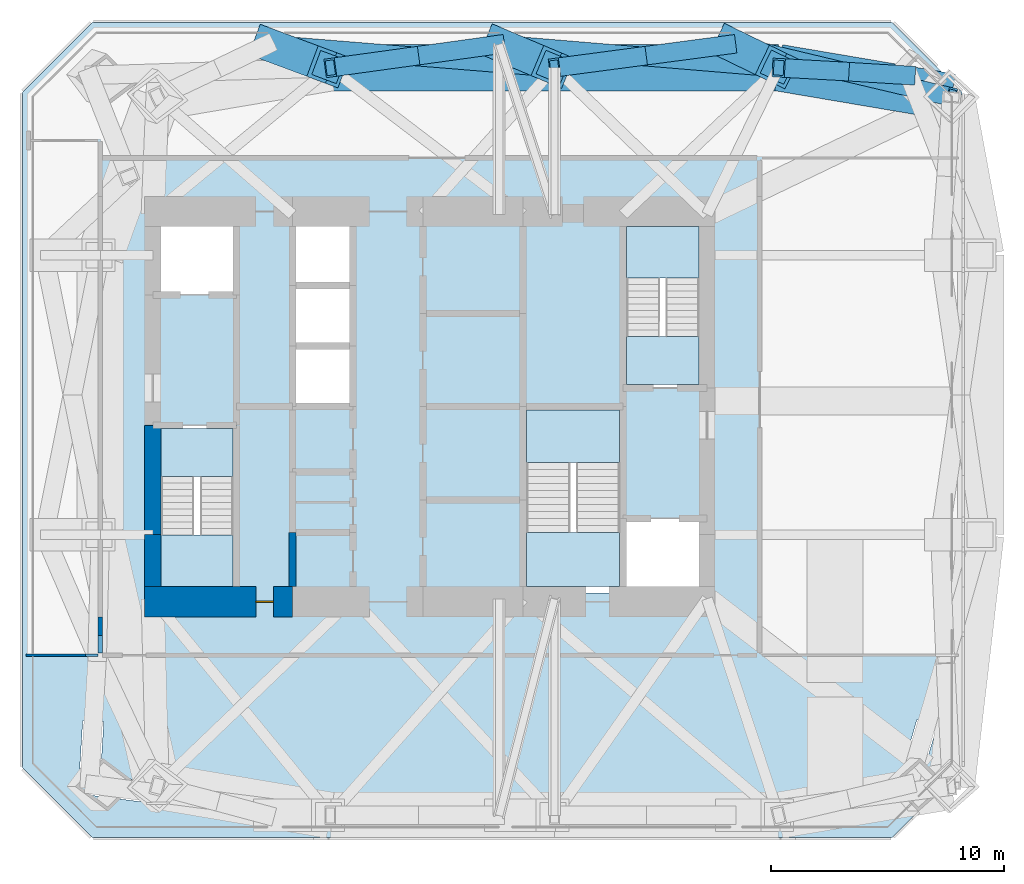
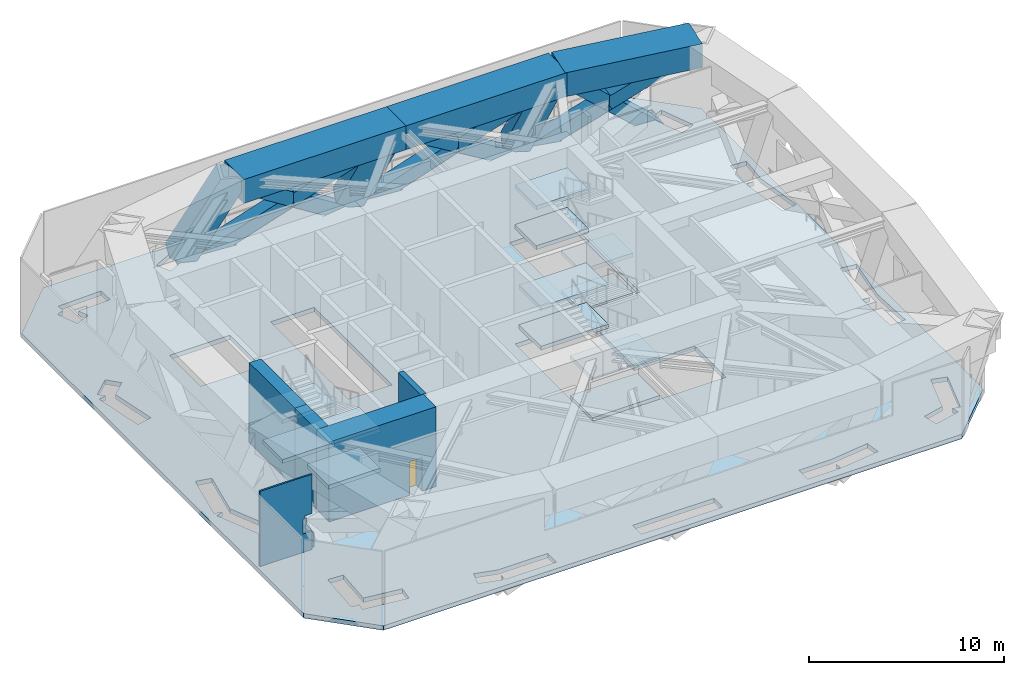
# One storey, part 3 of 9: 15 members, 13 slabs, 6 walls, 3 beams, 1 door, 1 opening, 3 elements without a shape of their own.
"""IFC4 building model written with IfcOpenShell, lengths in metres."""

from ifc_helpers import new_model, si_unit, direction, frame, frame_2d, origin, origin_2d, place, context, subcontext, project, spatial, polyline, rectangle, hollow_rectangle, outline, extrude, clip, halfspace, material, layer, layer_set, constituent, constituent_set, material_profile, profile_set, type_object, element, fill, aggregate, save


model = new_model("IFC4")

# Units and contexts
model_context = context("Model", 3, precision=1e-05, world=origin(), true_north=direction((0.0, 1.0)))
body_context = subcontext(model_context, "Body", "Model", "MODEL_VIEW")
ifc_project = project(units=[si_unit("LENGTHUNIT", "METRE"), si_unit("AREAUNIT", "SQUARE_METRE"), si_unit("VOLUMEUNIT", "CUBIC_METRE"), si_unit("PLANEANGLEUNIT", "RADIAN"), si_unit("MASSUNIT", "GRAM", prefix="KILO")], contexts=[model_context])

# Site, building, storey
site_placement = place(None, origin())
site = spatial("IfcSite", under=ifc_project, at=site_placement, CompositionType="ELEMENT")
building_placement = place(site_placement, origin())
building = spatial("IfcBuilding", under=site, at=building_placement, Name="Jalousie Tower", CompositionType="ELEMENT")
storey_placement = place(building_placement, frame((0.0, 0.0, 212.949951171875)))
storey = spatial("IfcBuildingStorey", under=building, at=storey_placement, Name="L58", CompositionType="ELEMENT", Elevation=212.949951171875)

# Members
ifc_material_1 = material(Name="Steel ASTM A572 Grade 50 plate", Category="steel")
ifc_material_profile_1 = material_profile(ifc_material_1, hollow_rectangle(XDim=0.800048828125, YDim=0.800048828125, WallThickness=0.080078125, at=origin_2d()), Name="BOX 800x800x80")
ifc_profile_set_1 = profile_set([ifc_material_profile_1], Name="Steel ASTM A572 Grade 50 plate")
member_type_1 = type_object("IfcMemberType", Name="PERIMETER BRACE BOX 800x800x80", PredefinedType="BRACE", material=ifc_profile_set_1)
member_1_placement = place(storey_placement, frame((52.47216796875, 32.72216796875, -0.75), z_axis=(-0.74471579042, 0.045489083075, 0.665829659012), x_axis=(-0.060968840657, -0.99813966982, 0.0)))
element("IfcMember", 1, at=member_1_placement, inside=storey, type_object=member_type_1, Name="Perimeter brace 08-09 L58 part 1", PredefinedType="BRACE", context=body_context, shape_type="SweptSolid", body=[
    extrude(hollow_rectangle(XDim=0.800048828125, YDim=0.800048828125, WallThickness=0.080078125, at=origin_2d()), origin(), (0.0, 0.0, 1.0), 3.81591796875),
])
member_2_placement = place(storey_placement, frame((49.63037109375, 32.895751953125, 1.790771484375), z_axis=(-0.745411726321, 0.041741999914, 0.665296147371), x_axis=(-0.055910986943, -0.998435757342, 0.0)))
element("IfcMember", 2, at=member_2_placement, inside=storey, type_object=member_type_1, Name="Perimeter brace 08-09 L58 part 2", PredefinedType="BRACE", context=body_context, shape_type="SweptSolid", body=[
    extrude(hollow_rectangle(XDim=0.800048828125, YDim=0.800048828125, WallThickness=0.080078125, at=origin_2d()), origin(), (0.0, 0.0, 1.0), 3.696533203125),
])
member_3_placement = place(storey_placement, frame((44.8125, 34.050048828125, -0.75), z_axis=(0.865317943972, -0.207318497978, 0.456337480639), x_axis=(0.23299271583, 0.972478480158, 0.0)))
element("IfcMember", 3, at=member_3_placement, inside=storey, type_object=member_type_1, Name="Perimeter brace 08-09 L58 part 3", PredefinedType="BRACE", context=body_context, shape_type="SweptSolid", body=[
    extrude(hollow_rectangle(XDim=0.800048828125, YDim=0.800048828125, WallThickness=0.080078125, at=origin_2d()), origin(), (0.0, 0.0, 1.0), 5.567626953125),
])
member_4_placement = place(storey_placement, frame((49.63037109375, 32.895751953125, 1.790771484375), z_axis=(0.865766635432, -0.204768451788, 0.456637727443), x_axis=(0.230166720252, 0.973151211728, 0.0)))
element("IfcMember", 4, at=member_4_placement, inside=storey, type_object=member_type_1, Name="Perimeter brace 08-09 L58 part 4", PredefinedType="BRACE", context=body_context, shape_type="SweptSolid", body=[
    extrude(hollow_rectangle(XDim=0.800048828125, YDim=0.800048828125, WallThickness=0.080078125, at=origin_2d()), origin(), (0.0, 0.0, 1.0), 5.385498046875),
])
member_5_placement = place(storey_placement, frame((44.8125, 34.050048828125, -0.75), z_axis=(-0.829134949477, -0.1096485657, 0.548190138178), x_axis=(0.131103097801, -0.991368739545, 0.0)))
element("IfcMember", 5, at=member_5_placement, inside=storey, type_object=member_type_1, Name="Perimeter brace 09-10 L58 part 1", PredefinedType="BRACE", context=body_context, shape_type="SweptSolid", body=[
    extrude(hollow_rectangle(XDim=0.800048828125, YDim=0.800048828125, WallThickness=0.080078125, at=origin_2d()), origin(), (0.0, 0.0, 1.0), 4.633544921875),
])
member_6_placement = place(storey_placement, frame((40.970703125, 33.5419921875, 1.7900390625), z_axis=(-0.829138570122, -0.109626917244, 0.548188991637), x_axis=(0.131077095691, -0.991372177835, 0.0)))
element("IfcMember", 6, at=member_6_placement, inside=storey, type_object=member_type_1, Name="Perimeter brace 09-10 L58 part 2", PredefinedType="BRACE", context=body_context, shape_type="SweptSolid", body=[
    extrude(hollow_rectangle(XDim=0.800048828125, YDim=0.800048828125, WallThickness=0.080078125, at=origin_2d()), origin(), (0.0, 0.0, 1.0), 4.487548828125),
])
member_7_placement = place(storey_placement, frame((34.875, 34.050048828125, -0.75), z_axis=(0.920348445794, -0.076707990856, 0.383503093161), x_axis=(0.083058692384, 0.996544657112, 0.0)))
element("IfcMember", 7, at=member_7_placement, inside=storey, type_object=member_type_1, Name="Perimeter brace 09-10 L58 part 3", PredefinedType="BRACE", context=body_context, shape_type="SweptSolid", body=[
    extrude(hollow_rectangle(XDim=0.800048828125, YDim=0.800048828125, WallThickness=0.080078125, at=origin_2d()), origin(), (0.0, 0.0, 1.0), 6.623291015625),
])
member_8_placement = place(storey_placement, frame((40.970703125, 33.5419921875, 1.7900390625), z_axis=(0.920367836318, -0.076684634063, 0.383461227206), x_axis=(0.083031838952, 0.996546894893, 0.0)))
element("IfcMember", 8, at=member_8_placement, inside=storey, type_object=member_type_1, Name="Perimeter brace 09-10 L58 part 4", PredefinedType="BRACE", context=body_context, shape_type="SweptSolid", body=[
    extrude(hollow_rectangle(XDim=0.800048828125, YDim=0.800048828125, WallThickness=0.080078125, at=origin_2d()), origin(), (0.0, 0.0, 1.0), 6.4150390625),
])
member_9_placement = place(storey_placement, frame((34.875, 34.050048828125, -0.75), z_axis=(-0.817941427808, -0.112836334854, 0.564127452099), x_axis=(0.136657396683, -0.99061837048, 0.0)))
element("IfcMember", 9, at=member_9_placement, inside=storey, type_object=member_type_1, Name="Perimeter brace 10-11 L58 part 1", PredefinedType="BRACE", context=body_context, shape_type="SweptSolid", body=[
    extrude(hollow_rectangle(XDim=0.800048828125, YDim=0.800048828125, WallThickness=0.080078125, at=origin_2d()), origin(), (0.0, 0.0, 1.0), 4.502685546875),
])
member_10_placement = place(storey_placement, frame((31.192138671875, 33.5419921875, 1.7900390625), z_axis=(-0.81797263953, -0.112806438208, 0.564088174383), x_axis=(0.136616748604, -0.990623977098, 0.0)))
element("IfcMember", 10, at=member_10_placement, inside=storey, type_object=member_type_1, Name="Perimeter brace 10-11 L58 part 2", PredefinedType="BRACE", context=body_context, shape_type="SweptSolid", body=[
    extrude(hollow_rectangle(XDim=0.800048828125, YDim=0.800048828125, WallThickness=0.080078125, at=origin_2d()), origin(), (0.0, 0.0, 1.0), 4.36083984375),
])
member_11_placement = place(storey_placement, frame((24.9375, 34.050048828125, -0.75), z_axis=(0.923900673863, -0.075047320438, 0.375200539087), x_axis=(0.080962116023, 0.996717179429, 0.0)))
element("IfcMember", 11, at=member_11_placement, inside=storey, type_object=member_type_1, Name="Perimeter brace 10-11 L58 part 3", PredefinedType="BRACE", context=body_context, shape_type="SweptSolid", body=[
    extrude(hollow_rectangle(XDim=0.800048828125, YDim=0.800048828125, WallThickness=0.080078125, at=origin_2d()), origin(), (0.0, 0.0, 1.0), 6.769775390625),
])
member_12_placement = place(storey_placement, frame((31.192138671875, 33.5419921875, 1.7900390625), z_axis=(0.923910811284, -0.075028424001, 0.375179354955), x_axis=(0.080940981554, 0.996718895931, 0.0)))
element("IfcMember", 12, at=member_12_placement, inside=storey, type_object=member_type_1, Name="Perimeter brace 10-11 L58 part 4", PredefinedType="BRACE", context=body_context, shape_type="SweptSolid", body=[
    extrude(hollow_rectangle(XDim=0.800048828125, YDim=0.800048828125, WallThickness=0.080078125, at=origin_2d()), origin(), (0.0, 0.0, 1.0), 6.556640625),
])

# Beams
ifc_material_2 = material(Name="Concrete f'c 40 MPa", Category="concrete")
ifc_material_profile_2 = material_profile(ifc_material_2, rectangle(XDim=2.0, YDim=1.5, at=origin_2d()), Name="RC 2000x1500")
ifc_profile_set_2 = profile_set([ifc_material_profile_2], Name="Concrete f'c 40 MPa")
beam_type = type_object("IfcBeamType", Name="RC BEAM 2000x1500", PredefinedType="BEAM", material=ifc_profile_set_2)
beam_placement = place(storey_placement, frame((54.29296875, 31.79296875, 4.25), z_axis=(-0.985942997446, 0.167082033105, 0.0), x_axis=(-0.167082033105, -0.985942997446, 0.0)))
element("IfcBeam", 13, at=beam_placement, inside=storey, type_object=beam_type, Name="Edge band beam 08-09 under L59", PredefinedType="BEAM", context=body_context, shape_type="SweptSolid", body=[
    extrude(rectangle(XDim=2.0, YDim=1.5, at=origin_2d()), origin(), (0.0, 0.0, 1.0), 7.523681640625),
])
for number, where, z_axis, x_axis, name in (
    (14, (46.875, 33.050048828125, 4.25), (-1.0, 0.0, 0.0), (0.0, -1.0, 0.0), "Edge band beam 09-10 under L59"),
    (15, (37.25, 33.050048828125, 4.25), (-1.0, 0.0, 0.0), (0.0, -1.0, 0.0), "Edge band beam 10-11 under L59"),
):
    element("IfcBeam", number, at=place(storey_placement, frame(where, z_axis=z_axis, x_axis=x_axis)), inside=storey, type_object=beam_type, Name=name, PredefinedType="BEAM", context=body_context, shape_type="SweptSolid", body=[
        extrude(rectangle(XDim=2.0, YDim=1.5, at=origin_2d()), origin(), (0.0, 0.0, 1.0), 9.625),
    ])

# Members
ifc_material_3 = material(Name="Steel EN 10025-2 S355J2 plate", Category="steel")
ifc_material_profile_3 = material_profile(ifc_material_3, hollow_rectangle(XDim=1.39990234375, YDim=1.39990234375, WallThickness=0.14990234375, at=origin_2d()), Name="BOX 1400x1400x150")
ifc_profile_set_3 = profile_set([ifc_material_profile_3], Name="Steel EN 10025-2 S355J2 plate")
member_type_2 = type_object("IfcMemberType", Name="TRANSFER TRUSS STRUT BOX 1400x1400x150", PredefinedType="STRUT", material=ifc_profile_set_3)
member_13_placement = place(storey_placement, frame((44.8125, 34.050048828125, 0.0), z_axis=(0.374975790051, -0.181806443661, 0.909032218306), x_axis=(0.436273506519, 0.899814107196, 0.0)))
element("IfcMember", 16, at=member_13_placement, inside=storey, type_object=member_type_2, Name="Transfer truss T3 strut 09 L58", PredefinedType="STRUT", context=body_context, shape_type="Clipping", body=[
    clip(extrude(hollow_rectangle(XDim=1.39990234375, YDim=1.39990234375, WallThickness=0.14990234375, at=origin_2d()), origin(), (0.0, 0.0, 1.0), 5.500244140625), halfspace(frame((0.0, 0.0, 5.478271484375), z_axis=(0.0, 0.416725840429, 0.909032218306)), False)),
])
member_14_placement = place(storey_placement, frame((34.875, 34.050048828125, 0.0), z_axis=(0.422222222222, -0.177777777778, 0.888888888889), x_axis=(0.388057000058, 0.921635375138, 0.0)))
element("IfcMember", 17, at=member_14_placement, inside=storey, type_object=member_type_2, Name="Transfer truss T3 strut 10 L58", PredefinedType="STRUT", context=body_context, shape_type="Clipping", body=[
    clip(extrude(hollow_rectangle(XDim=1.39990234375, YDim=1.39990234375, WallThickness=0.14990234375, at=origin_2d()), origin(), (0.0, 0.0, 1.0), 5.625), halfspace(frame((0.0, 0.0, 5.6025390625), z_axis=(0.0, 0.458122847291, 0.888888888889)), False)),
])
member_15_placement = place(storey_placement, frame((24.9375, 34.050048828125, 0.0), z_axis=(0.466263368187, -0.173493346302, 0.86746673151), x_axis=(0.348733712021, 0.937221851058, 0.0)))
element("IfcMember", 18, at=member_15_placement, inside=storey, type_object=member_type_2, Name="Transfer truss T3 strut 11 L58", PredefinedType="STRUT", context=body_context, shape_type="Clipping", body=[
    clip(extrude(hollow_rectangle(XDim=1.39990234375, YDim=1.39990234375, WallThickness=0.14990234375, at=origin_2d()), origin(), (0.0, 0.0, 1.0), 5.763916015625), halfspace(frame((0.0, 0.0, 5.74072265625), z_axis=(0.0, 0.497495195679, 0.86746673151)), False)),
])

# Slab
ifc_material_4 = material(Name="Concrete f'c 40 MPa", Category="concrete")
ifc_layer_1 = layer(ifc_material_4, 0.280029296875)
ifc_layer_set_1 = layer_set([ifc_layer_1], Name="Concrete f'c 40 MPa")
slab_type_1 = type_object("IfcSlabType", Name="FLOOR SLAB 280", PredefinedType="FLOOR", material=ifc_layer_set_1)
slab_1_placement = place(storey_placement, frame((0.0, 0.0, -0.280029296875)))
element("IfcSlab", 19, at=slab_1_placement, inside=storey, type_object=slab_type_1, Name="L58 floor slab", PredefinedType="FLOOR", context=body_context, shape_type="SweptSolid", body=[
    extrude(outline(polyline([(17.39990234375, 0.0), (51.75, 0.0), (54.75, 3.0), (54.75, 32.0), (51.75, 35.0), (17.39990234375, 35.0), (14.39990234375, 32.0), (14.39990234375, 3.0), (17.39990234375, 0.0)]), holes=[polyline([(24.82080078125, 0.515380859375), (23.523193359375, 0.8642578125), (23.7568359375, 1.7333984375), (24.996826171875, 1.39990234375), (27.970703125, 1.39990234375), (27.970703125, 0.5), (24.9375, 0.5), (24.9375, 0.949951171875), (24.82080078125, 0.515380859375)]), polyline([(16.99658203125, 5.028564453125), (17.89501953125, 4.972900390625), (17.7529296875, 2.669921875), (19.907958984375, 2.390380859375), (19.792236328125, 1.497802734375), (17.219970703125, 1.83154296875), (17.27783203125, 2.27783203125), (16.82861328125, 2.305419921875), (16.99658203125, 5.028564453125)]), polyline([(15.5, 16.04541015625), (16.3828125, 15.868896484375), (15.818603515625, 13.049072265625), (16.890625, 10.5556640625), (16.063720703125, 10.2001953125), (14.9365234375, 12.822265625), (15.35009765625, 13.0), (14.90869140625, 13.08837890625), (15.5, 16.04541015625)]), polyline([(20.0, 10.5), (23.60009765625, 10.5), (23.60009765625, 17.699951171875), (20.0, 17.699951171875), (20.0, 10.5)]), polyline([(26.0, 18.5), (26.0, 26.5), (28.60009765625, 26.5), (28.60009765625, 18.5), (26.0, 18.5)]), polyline([(15.04248046875, 25.32861328125), (16.034912109375, 26.25732421875), (16.64990234375, 25.600341796875), (15.84033203125, 24.842529296875), (16.3828125, 22.131103515625), (15.5, 21.95458984375), (14.90869140625, 24.91162109375), (15.35009765625, 25.0), (15.04248046875, 25.32861328125)]), polyline([(20.0, 23.300048828125), (23.60009765625, 23.300048828125), (23.60009765625, 26.5), (20.0, 26.5), (20.0, 23.300048828125)]), polyline([(19.83544921875, 33.256591796875), (19.865234375, 32.357177734375), (17.929931640625, 32.29345703125), (18.168701171875, 31.686279296875), (17.3310546875, 31.357177734375), (16.85888671875, 32.5576171875), (17.27783203125, 32.72216796875), (17.262939453125, 33.171875), (19.83544921875, 33.256591796875)]), polyline([(28.006591796875, 34.252197265625), (27.93359375, 33.355224609375), (25.0224609375, 33.591552734375), (23.852294921875, 33.02978515625), (23.462890625, 33.84130859375), (24.74267578125, 34.455810546875), (24.9375, 34.050048828125), (24.973876953125, 34.49853515625), (28.006591796875, 34.252197265625)]), polyline([(33.010498046875, 1.39990234375), (34.875, 1.39990234375), (37.8349609375, 1.39990234375), (37.8349609375, 0.5), (34.875, 0.5), (33.010498046875, 0.5), (33.010498046875, 1.39990234375)]), polyline([(44.872314453125, 0.50390625), (44.8125, 0.949951171875), (44.8125, 0.5), (42.877197265625, 0.5), (42.877197265625, 1.39990234375), (44.782470703125, 1.39990234375), (47.12451171875, 1.714111328125), (47.243896484375, 0.822021484375), (44.872314453125, 0.50390625)]), polyline([(52.904296875, 2.15234375), (52.47216796875, 2.27783203125), (52.5771484375, 1.840087890625), (51.088623046875, 1.4833984375), (50.87890625, 2.3583984375), (52.113037109375, 2.654296875), (52.812744140625, 5.06396484375), (53.677001953125, 4.81298828125), (52.904296875, 2.15234375)]), polyline([(35.89990234375, 10.5), (35.89990234375, 18.5), (40.199951171875, 18.5), (40.199951171875, 13.699951171875), (43.800048828125, 13.699951171875), (43.800048828125, 10.5), (35.89990234375, 10.5)]), polyline([(53.7861328125, 16.023193359375), (54.6767578125, 15.8935546875), (54.25146484375, 12.976806640625), (54.363037109375, 10.347900390625), (53.4638671875, 10.309814453125), (53.350341796875, 12.98095703125), (53.800048828125, 13.0), (53.354736328125, 13.06494140625), (53.7861328125, 16.023193359375)]), polyline([(40.199951171875, 19.300048828125), (43.800048828125, 19.300048828125), (43.800048828125, 26.5), (40.199951171875, 26.5), (40.199951171875, 19.300048828125)]), polyline([(53.351318359375, 25.03515625), (53.489501953125, 26.801513671875), (54.38671875, 26.7314453125), (54.252685546875, 25.01513671875), (54.6767578125, 22.1064453125), (53.7861328125, 21.976806640625), (53.354736328125, 24.93505859375), (53.800048828125, 25.0), (53.351318359375, 25.03515625)]), polyline([(52.821533203125, 30.603759765625), (52.158447265625, 32.29052734375), (50.9501953125, 32.3642578125), (51.005126953125, 33.2626953125), (52.49951171875, 33.17138671875), (52.47216796875, 32.72216796875), (52.89111328125, 32.88671875), (53.6591796875, 30.93310546875), (52.821533203125, 30.603759765625)]), polyline([(44.75341796875, 34.49609375), (44.8125, 34.050048828125), (44.917236328125, 34.487548828125), (47.286865234375, 33.919921875), (47.0771484375, 33.044677734375), (44.788818359375, 33.593017578125), (42.93798828125, 33.34814453125), (42.820068359375, 34.240478515625), (44.75341796875, 34.49609375)]), polyline([(32.951171875, 34.239013671875), (34.8134765625, 34.495849609375), (34.875, 34.050048828125), (34.912353515625, 34.498291015625), (37.871826171875, 34.251708984375), (37.797119140625, 33.35498046875), (34.88720703125, 33.597412109375), (33.073974609375, 33.347412109375), (32.951171875, 34.239013671875)])]), origin(), (0.0, 0.0, 1.0), 0.280029296875),
])

# Stair, slabs
ifc_material_5 = material(Name="Concrete f'c 40 MPa", Category="concrete")
stair_type = type_object("IfcStairType", Name="EXIT STAIR", PredefinedType="HALF_TURN_STAIR", material=ifc_material_5)
stair_1_placement = place(storey_placement, origin())
stair_1 = element("IfcStair", 20, at=stair_1_placement, inside=storey, type_object=stair_type, Name="Exit stair A L58", PredefinedType="HALF_TURN_STAIR")
ifc_material_6 = material(Name="Concrete f'c 40 MPa", Category="concrete")
ifc_layer_2 = layer(ifc_material_6, 0.25)
ifc_layer_set_2 = layer_set([ifc_layer_2], Name="Concrete f'c 40 MPa")
slab_type_2 = type_object("IfcSlabType", Name="STAIR LANDING 250", PredefinedType="LANDING", material=ifc_layer_set_2)
slab_2_placement = place(storey_placement, frame((0.0, 0.0, -0.25)))
slab_2 = element("IfcSlab", 21, at=slab_2_placement, type_object=slab_type_2, Name="ST-A landing 1", PredefinedType="LANDING", context=body_context, shape_type="SweptSolid", body=[
    extrude(outline(polyline([(20.35009765625, 15.49755859375), (23.449951171875, 15.49755859375), (23.449951171875, 17.550048828125), (20.35009765625, 17.550048828125), (20.35009765625, 15.49755859375)])), origin(), (0.0, 0.0, 1.0), 0.25),
])
slab_3_placement = place(storey_placement, frame((0.0, 0.0, 1.0)))
slab_3 = element("IfcSlab", 22, at=slab_3_placement, type_object=slab_type_2, Name="ST-A landing 2", PredefinedType="LANDING", context=body_context, shape_type="SweptSolid", body=[
    extrude(outline(polyline([(20.35009765625, 10.77490234375), (23.449951171875, 10.77490234375), (23.449951171875, 12.9775390625), (20.35009765625, 12.9775390625), (20.35009765625, 10.77490234375)])), origin(), (0.0, 0.0, 1.0), 0.25),
])
slab_4_placement = place(storey_placement, frame((0.0, 0.0, 2.25)))
slab_4 = element("IfcSlab", 23, at=slab_4_placement, type_object=slab_type_2, Name="ST-A landing 3", PredefinedType="LANDING", context=body_context, shape_type="SweptSolid", body=[
    extrude(outline(polyline([(20.35009765625, 15.49755859375), (23.449951171875, 15.49755859375), (23.449951171875, 17.550048828125), (20.35009765625, 17.550048828125), (20.35009765625, 15.49755859375)])), origin(), (0.0, 0.0, 1.0), 0.25),
])
slab_5_placement = place(storey_placement, frame((0.0, 0.0, 3.5)))
slab_5 = element("IfcSlab", 24, at=slab_5_placement, type_object=slab_type_2, Name="ST-A landing 4", PredefinedType="LANDING", context=body_context, shape_type="SweptSolid", body=[
    extrude(outline(polyline([(20.35009765625, 10.77490234375), (23.449951171875, 10.77490234375), (23.449951171875, 12.9775390625), (20.35009765625, 12.9775390625), (20.35009765625, 10.77490234375)])), origin(), (0.0, 0.0, 1.0), 0.25),
])
aggregate(stair_1, [slab_2, slab_3, slab_4, slab_5])

stair_2_placement = place(storey_placement, origin())
stair_2 = element("IfcStair", 25, at=stair_2_placement, inside=storey, type_object=stair_type, Name="Exit stair B L58", PredefinedType="HALF_TURN_STAIR")
slab_6_placement = place(storey_placement, frame((0.0, 0.0, -0.25)))
slab_6 = element("IfcSlab", 26, at=slab_6_placement, type_object=slab_type_2, Name="ST-B landing 1", PredefinedType="LANDING", context=body_context, shape_type="SweptSolid", body=[
    extrude(outline(polyline([(40.35009765625, 19.449951171875), (43.449951171875, 19.449951171875), (43.449951171875, 21.50244140625), (40.35009765625, 21.50244140625), (40.35009765625, 19.449951171875)])), origin(), (0.0, 0.0, 1.0), 0.25),
])
slab_7_placement = place(storey_placement, frame((0.0, 0.0, 1.0)))
slab_7 = element("IfcSlab", 27, at=slab_7_placement, type_object=slab_type_2, Name="ST-B landing 2", PredefinedType="LANDING", context=body_context, shape_type="SweptSolid", body=[
    extrude(outline(polyline([(40.35009765625, 24.0224609375), (43.449951171875, 24.0224609375), (43.449951171875, 26.22509765625), (40.35009765625, 26.22509765625), (40.35009765625, 24.0224609375)])), origin(), (0.0, 0.0, 1.0), 0.25),
])
slab_8_placement = place(storey_placement, frame((0.0, 0.0, 2.25)))
slab_8 = element("IfcSlab", 28, at=slab_8_placement, type_object=slab_type_2, Name="ST-B landing 3", PredefinedType="LANDING", context=body_context, shape_type="SweptSolid", body=[
    extrude(outline(polyline([(40.35009765625, 19.449951171875), (43.449951171875, 19.449951171875), (43.449951171875, 21.50244140625), (40.35009765625, 21.50244140625), (40.35009765625, 19.449951171875)])), origin(), (0.0, 0.0, 1.0), 0.25),
])
slab_9_placement = place(storey_placement, frame((0.0, 0.0, 3.5)))
slab_9 = element("IfcSlab", 29, at=slab_9_placement, type_object=slab_type_2, Name="ST-B landing 4", PredefinedType="LANDING", context=body_context, shape_type="SweptSolid", body=[
    extrude(outline(polyline([(40.35009765625, 24.0224609375), (43.449951171875, 24.0224609375), (43.449951171875, 26.22509765625), (40.35009765625, 26.22509765625), (40.35009765625, 24.0224609375)])), origin(), (0.0, 0.0, 1.0), 0.25),
])
aggregate(stair_2, [slab_6, slab_7, slab_8, slab_9])

stair_3_placement = place(storey_placement, origin())
stair_3 = element("IfcStair", 30, at=stair_3_placement, inside=storey, type_object=stair_type, Name="Exit stair C L58", PredefinedType="HALF_TURN_STAIR")
slab_10_placement = place(storey_placement, frame((0.0, 0.0, -0.25)))
slab_10 = element("IfcSlab", 31, at=slab_10_placement, type_object=slab_type_2, Name="ST-C landing 1", PredefinedType="LANDING", context=body_context, shape_type="SweptSolid", body=[
    extrude(outline(polyline([(36.050048828125, 10.77490234375), (40.050048828125, 10.77490234375), (40.050048828125, 13.097412109375), (36.050048828125, 13.097412109375), (36.050048828125, 10.77490234375)])), origin(), (0.0, 0.0, 1.0), 0.25),
])
slab_11_placement = place(storey_placement, frame((0.0, 0.0, 1.0)))
slab_11 = element("IfcSlab", 32, at=slab_11_placement, type_object=slab_type_2, Name="ST-C landing 2", PredefinedType="LANDING", context=body_context, shape_type="SweptSolid", body=[
    extrude(outline(polyline([(36.050048828125, 16.097412109375), (40.050048828125, 16.097412109375), (40.050048828125, 18.35009765625), (36.050048828125, 18.35009765625), (36.050048828125, 16.097412109375)])), origin(), (0.0, 0.0, 1.0), 0.25),
])
slab_12_placement = place(storey_placement, frame((0.0, 0.0, 2.25)))
slab_12 = element("IfcSlab", 33, at=slab_12_placement, type_object=slab_type_2, Name="ST-C landing 3", PredefinedType="LANDING", context=body_context, shape_type="SweptSolid", body=[
    extrude(outline(polyline([(36.050048828125, 10.77490234375), (40.050048828125, 10.77490234375), (40.050048828125, 13.097412109375), (36.050048828125, 13.097412109375), (36.050048828125, 10.77490234375)])), origin(), (0.0, 0.0, 1.0), 0.25),
])
slab_13_placement = place(storey_placement, frame((0.0, 0.0, 3.5)))
slab_13 = element("IfcSlab", 34, at=slab_13_placement, type_object=slab_type_2, Name="ST-C landing 4", PredefinedType="LANDING", context=body_context, shape_type="SweptSolid", body=[
    extrude(outline(polyline([(36.050048828125, 16.097412109375), (40.050048828125, 16.097412109375), (40.050048828125, 18.35009765625), (36.050048828125, 18.35009765625), (36.050048828125, 16.097412109375)])), origin(), (0.0, 0.0, 1.0), 0.25),
])
aggregate(stair_3, [slab_10, slab_11, slab_12, slab_13])

# Wall, opening, door
ifc_material_7 = material(Name="Concrete f'c 120 MPa", Category="concrete")
ifc_layer_3 = layer(ifc_material_7, 1.300048828125)
ifc_layer_set_3 = layer_set([ifc_layer_3], Name="Concrete f'c 120 MPa")
wall_type_1 = type_object("IfcWallType", Name="CORE WALL 1300", PredefinedType="SHEAR", material=ifc_layer_set_3)
wall_1_placement = place(storey_placement, frame((19.64990234375, 10.125, 0.0), z_axis=(0.0, 0.0, 1.0), x_axis=(1.0, 0.0, 0.0)))
wall_1 = element("IfcWall", 35, at=wall_1_placement, inside=storey, type_object=wall_type_1, Name="Core wall SA L58", PredefinedType="SHEAR", context=body_context, shape_type="SweptSolid", body=[
    extrude(rectangle(XDim=6.35009765625, YDim=1.300048828125, at=frame_2d((3.175048828125, 0.0))), origin(), (0.0, 0.0, 1.0), 5.0),
])
opening_placement = place(wall_1_placement, frame((4.77490234375, 0.0, 0.0)))
opening = element("IfcOpeningElement", 36, at=opening_placement, cuts=wall_1, Name="Opening D16", PredefinedType="OPENING", context=body_context, shape_type="SweptSolid", body=[
    extrude(rectangle(XDim=0.75, YDim=2.10009765625, at=frame_2d((0.375, 1.050048828125))), frame((0.0, 0.659912109375, 0.0), z_axis=(0.0, -1.0, 0.0), x_axis=(1.0, 0.0, 0.0)), (0.0, 0.0, 1.0), 1.320068359375),
])
ifc_material_8 = material(Name="Steel fire door", Category="steel")
door_type = type_object("IfcDoorType", Name="RISER DOOR 750", OperationType="SINGLE_SWING_LEFT", PredefinedType="DOOR", material=ifc_material_8)
door_placement = place(opening_placement, origin())
door = element("IfcDoor", 37, at=door_placement, inside=storey, type_object=door_type, Name="South riser door", OperationType="SINGLE_SWING_LEFT", OverallHeight=2.10009765625, OverallWidth=0.75, PredefinedType="DOOR", context=body_context, shape_type="SweptSolid", body=[
    extrude(rectangle(XDim=0.75, YDim=2.10009765625, at=frame_2d((0.375, 1.050048828125))), frame((0.0, 0.02490234375, 0.0), z_axis=(0.0, -1.0, 0.0), x_axis=(1.0, 0.0, 0.0)), (0.0, 0.0, 1.0), 0.050048828125),
])
fill(opening, door)

# Walls
ifc_material_9 = material(Name="Concrete f'c 120 MPa", Category="concrete")
ifc_layer_4 = layer(ifc_material_9, 0.300048828125)
ifc_layer_set_4 = layer_set([ifc_layer_4], Name="Concrete f'c 120 MPa")
wall_type_2 = type_object("IfcWallType", Name="CORE WALL 300", PredefinedType="SHEAR", material=ifc_layer_set_4)
wall_2_placement = place(storey_placement, frame((26.0, 10.77490234375, 0.0), z_axis=(0.0, 0.0, 1.0), x_axis=(0.0, 1.0, 0.0)))
element("IfcWall", 38, at=wall_2_placement, inside=storey, type_object=wall_type_2, Name="Core wall X26A L58", PredefinedType="SHEAR", context=body_context, shape_type="SweptSolid", body=[
    extrude(rectangle(XDim=2.3251953125, YDim=0.300048828125, at=frame_2d((1.16259765625, 0.0))), origin(), (0.0, 0.0, 1.0), 5.0),
])
ifc_material_10 = material(Name="Concrete f'c 120 MPa", Category="concrete")
ifc_layer_5 = layer(ifc_material_10, 0.699951171875)
ifc_layer_set_5 = layer_set([ifc_layer_5], Name="Concrete f'c 120 MPa")
wall_type_3 = type_object("IfcWallType", Name="CORE WALL 700", PredefinedType="SHEAR", material=ifc_layer_set_5)
wall_3_placement = place(storey_placement, frame((20.0, 17.699951171875, 0.0), z_axis=(0.0, 0.0, 1.0), x_axis=(0.0, -1.0, 0.0)))
element("IfcWall", 39, at=wall_3_placement, inside=storey, type_object=wall_type_3, Name="Core wall WC L58", PredefinedType="SHEAR", context=body_context, shape_type="SweptSolid", body=[
    extrude(rectangle(XDim=4.699951171875, YDim=0.699951171875, at=frame_2d((2.35009765625, 0.0))), origin(), (0.0, 0.0, 1.0), 5.0),
])
wall_4_placement = place(storey_placement, frame((20.0, 13.0, 0.0), z_axis=(0.0, 0.0, 1.0), x_axis=(0.0, -1.0, 0.0)))
element("IfcWall", 40, at=wall_4_placement, inside=storey, type_object=wall_type_3, Name="Core wall WD L58", PredefinedType="SHEAR", context=body_context, shape_type="SweptSolid", body=[
    extrude(rectangle(XDim=2.22509765625, YDim=0.699951171875, at=frame_2d((1.112548828125, 0.0))), origin(), (0.0, 0.0, 1.0), 5.0),
])
ifc_material_11 = material(Name="Concrete block ASTM C90", Category="concrete")
ifc_constituent_1 = constituent(ifc_material_11, Name="Body")
ifc_material_12 = material(Name="Render")
ifc_constituent_2 = constituent(ifc_material_12, Name="Finish")
ifc_constituent_set_1 = constituent_set(constituents=[ifc_constituent_1, ifc_constituent_2])
wall_type_4 = type_object("IfcWallType", Name="CORRIDOR WALL 200", PredefinedType="PARTITIONING", material=ifc_constituent_set_1)
wall_5_placement = place(storey_placement, frame((17.75, 7.925048828125, 0.0), z_axis=(0.0, 0.0, 1.0), x_axis=(0.0, 1.0, 0.0)))
element("IfcWall", 41, at=wall_5_placement, inside=storey, type_object=wall_type_4, Name="Corridor Wall 200 L58", PredefinedType="PARTITIONING", context=body_context, shape_type="SweptSolid", body=[
    extrude(outline(polyline([(0.0, 0.0), (1.550048828125, 0.0), (1.550048828125, 1.36181640625), (0.74755859375, 1.36181640625), (0.74755859375, 0.918212890625), (0.0, 0.918212890625), (0.0, 0.0)])), frame((0.0, 0.10009765625, 0.0), z_axis=(0.0, -1.0, 0.0), x_axis=(1.0, 0.0, 0.0)), (0.0, 0.0, 1.0), 0.199951171875),
])
ifc_material_13 = material(Name="Gypsum board", Category="gypsum")
ifc_constituent_3 = constituent(ifc_material_13, Name="Body")
ifc_material_14 = material(Name="Light-gauge steel studs ASTM A653 SS Grade 33", Category="steel")
ifc_constituent_4 = constituent(ifc_material_14, Name="Framing")
ifc_constituent_set_2 = constituent_set(constituents=[ifc_constituent_3, ifc_constituent_4])
wall_type_5 = type_object("IfcWallType", Name="PARTITION 100", PredefinedType="PARTITIONING", material=ifc_constituent_set_2)
wall_6_placement = place(storey_placement, frame((14.550048828125, 7.824951171875, 0.0), z_axis=(0.0, 0.0, 1.0), x_axis=(1.0, 0.0, 0.0)))
element("IfcWall", 42, at=wall_6_placement, inside=storey, type_object=wall_type_5, Name="Partition 100 L58", PredefinedType="PARTITIONING", context=body_context, shape_type="SweptSolid", body=[
    extrude(outline(polyline([(0.0, 0.0), (3.10009765625, 0.0), (3.10009765625, 1.143310546875), (2.5576171875, 1.143310546875), (2.5576171875, 2.03076171875), (2.605712890625, 2.08349609375), (2.655517578125, 2.092041015625), (2.655517578125, 2.191650390625), (2.658447265625, 2.249267578125), (3.10009765625, 2.254638671875), (3.10009765625, 4.719970703125), (0.0, 4.719970703125), (0.0, 0.0)])), frame((0.0, 0.050048828125, 0.0), z_axis=(0.0, -1.0, 0.0), x_axis=(1.0, 0.0, 0.0)), (0.0, 0.0, 1.0), 0.10009765625),
])

save(model, "model.ifc")
